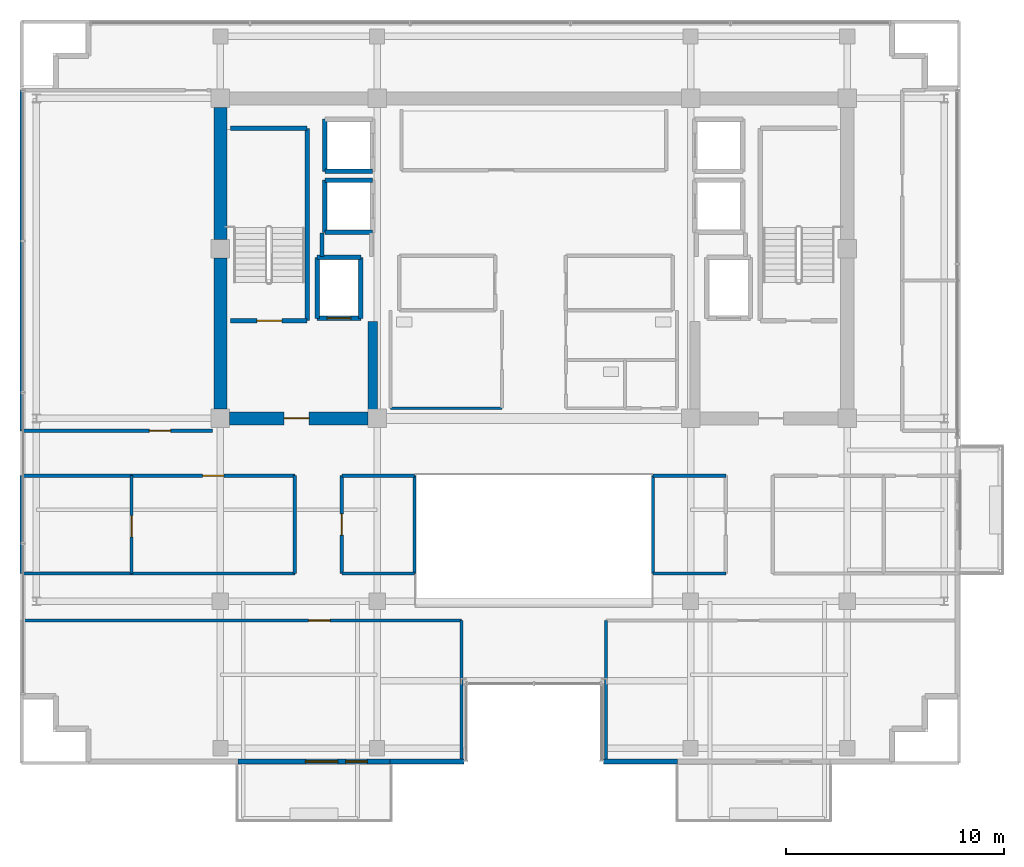
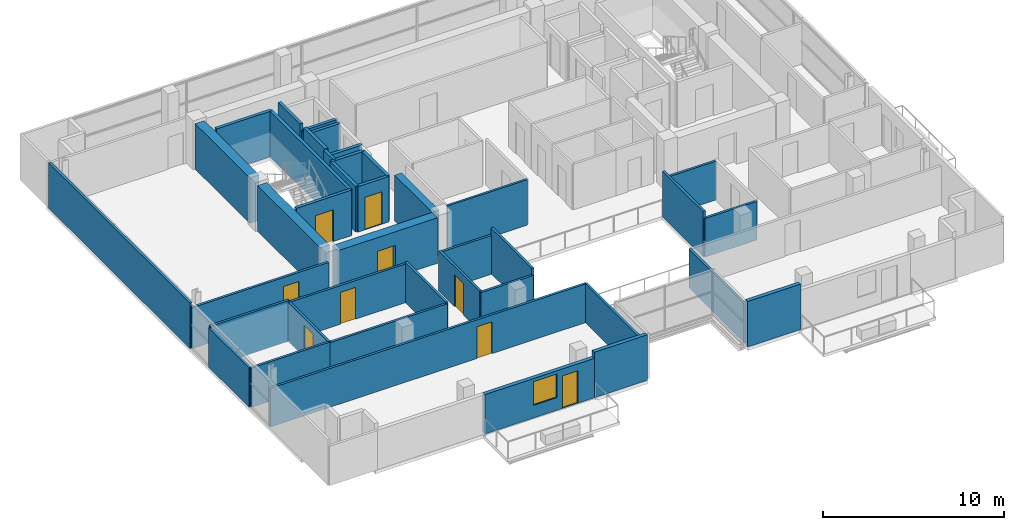
# One storey, part 16 of 23: 40 walls, 9 doors, 1 window, 10 openings.
"""IFC4 building model written with IfcOpenShell, lengths in metres."""

from ifc_helpers import new_model, si_unit, direction, frame, frame_2d, origin, place, context, subcontext, project, spatial, rectangle, extrude, source, transform, mapped, material, layer, layer_set, type_object, element, fill, save


model = new_model("IFC4")

# Units and contexts
model_context = context("Model", 3, precision=1e-05, world=origin(), true_north=direction((0.0, 1.0)))
body_context = subcontext(model_context, "Body", "Model", "MODEL_VIEW")
ifc_project = project(units=[si_unit("LENGTHUNIT", "METRE"), si_unit("AREAUNIT", "SQUARE_METRE"), si_unit("VOLUMEUNIT", "CUBIC_METRE"), si_unit("PLANEANGLEUNIT", "RADIAN"), si_unit("MASSUNIT", "GRAM", prefix="KILO")], contexts=[model_context])

# Site, building, storey
site_placement = place(None, origin())
site = spatial("IfcSite", under=ifc_project, at=site_placement, CompositionType="ELEMENT")
building_placement = place(site_placement, origin())
building = spatial("IfcBuilding", under=site, at=building_placement, Name="Zarnakvel Exchange Tower", CompositionType="ELEMENT")
storey_placement = place(building_placement, frame((0.0, 0.0, 212.199951171875)))
storey = spatial("IfcBuildingStorey", under=building, at=storey_placement, Name="L59", CompositionType="ELEMENT", Elevation=212.199951171875)

# Walls
ifc_material_1 = material(Name="Concrete C50/60", Category="concrete")
ifc_layer_1 = layer(ifc_material_1, 0.60009765625)
ifc_layer_set_1 = layer_set([ifc_layer_1], Name="Concrete C50/60")
wall_type_1 = type_object("IfcWallType", Name="CW-C5", PredefinedType="SHEAR", material=ifc_layer_set_1)
wall_1_placement = place(storey_placement, frame((-14.39990234375, -0.77490234375, 0.0), z_axis=(0.0, 0.0, 1.0), x_axis=(0.0, 1.0, 0.0)))
element("IfcWall", 1, at=wall_1_placement, inside=storey, type_object=wall_type_1, Name="L59 Rear Core Shear Wall W1 (CW-C5)", PredefinedType="SHEAR", context=body_context, shape_type="SweptSolid", body=[
    extrude(rectangle(XDim=6.949951171875, YDim=0.60009765625, at=frame_2d((3.47509765625, 0.0))), origin(), (0.0, 0.0, 1.0), 3.074951171875),
])
wall_2_placement = place(storey_placement, frame((-14.39990234375, 7.02490234375, 0.0), z_axis=(0.0, 0.0, 1.0), x_axis=(0.0, 1.0, 0.0)))
element("IfcWall", 2, at=wall_2_placement, inside=storey, type_object=wall_type_1, Name="L59 Rear Core Shear Wall W2 (CW-C5)", PredefinedType="SHEAR", context=body_context, shape_type="SweptSolid", body=[
    extrude(rectangle(XDim=6.050048828125, YDim=0.60009765625, at=frame_2d((3.02490234375, 0.0))), origin(), (0.0, 0.0, 1.0), 3.074951171875),
])

# Wall, opening, door
wall_3_placement = place(storey_placement, frame((-7.625, -1.199951171875, 0.0), z_axis=(0.0, 0.0, 1.0), x_axis=(-1.0, 0.0, 0.0)))
wall_3 = element("IfcWall", 3, at=wall_3_placement, inside=storey, type_object=wall_type_1, Name="L59 Rear Core Shear Wall SW (CW-C5)", PredefinedType="SHEAR", context=body_context, shape_type="SweptSolid", body=[
    extrude(rectangle(XDim=6.35009765625, YDim=0.60009765625, at=frame_2d((3.175048828125, 0.0))), origin(), (0.0, 0.0, 1.0), 3.074951171875),
])
opening_1_placement = place(wall_3_placement, frame((2.699951171875, 0.0, 0.0)))
opening_1 = element("IfcOpeningElement", 4, at=opening_1_placement, cuts=wall_3, Name="Opening D-L59-03", PredefinedType="OPENING", context=body_context, shape_type="SweptSolid", body=[
    extrude(rectangle(XDim=1.14990234375, YDim=2.14990234375, at=frame_2d((0.574951171875, 1.074951171875))), frame((0.0, 0.31005859375, 0.0), z_axis=(0.0, -1.0, 0.0), x_axis=(1.0, 0.0, 0.0)), (0.0, 0.0, 1.0), 0.6201171875),
])
ifc_material_2 = material(Name="Painted Galvanised Steel S355", Category="steel")
door_type_1 = type_object("IfcDoorType", Name="DT-04", OperationType="NOTDEFINED", PredefinedType="DOOR", material=ifc_material_2)
shared_shape_1 = source(origin(), body_context, "Body", "SweptSolid", [
    extrude(rectangle(XDim=1.14990234375, YDim=2.14990234375, at=frame_2d((0.574951171875, 1.074951171875))), frame((0.0, 0.02490234375, 0.0), z_axis=(0.0, -1.0, 0.0), x_axis=(1.0, 0.0, 0.0)), (0.0, 0.0, 1.0), 0.050048828125),
])
door_1_placement = place(opening_1_placement, origin())
door_1 = element("IfcDoor", 5, at=door_1_placement, inside=storey, type_object=door_type_1, Name="L59 Firefighting Lobby West Door D-L59-03", OperationType="SINGLE_SWING_RIGHT", OverallHeight=2.14990234375, OverallWidth=1.14990234375, PredefinedType="DOOR", context=body_context, shape_type="MappedRepresentation", body=[
    mapped(shared_shape_1, transform((0.0, 0.0, 0.0), x_axis=(1.0, 0.0, 0.0), y_axis=(0.0, 1.0, 0.0), z_axis=(0.0, 0.0, 1.0), scale=1.0)),
])
fill(opening_1, door_1)

# Wall
ifc_layer_2 = layer(ifc_material_1, 0.449951171875)
ifc_layer_set_2 = layer_set([ifc_layer_2], Name="Concrete C50/60")
wall_type_2 = type_object("IfcWallType", Name="CW-C6", PredefinedType="SHEAR", material=ifc_layer_set_2)
wall_4_placement = place(storey_placement, frame((-7.39990234375, -0.89990234375, 0.0), z_axis=(0.0, 0.0, 1.0), x_axis=(0.0, 1.0, 0.0)))
element("IfcWall", 6, at=wall_4_placement, inside=storey, type_object=wall_type_2, Name="L59 Rear Core Shear Wall IW (CW-C6)", PredefinedType="SHEAR", context=body_context, shape_type="SweptSolid", body=[
    extrude(rectangle(XDim=4.14990234375, YDim=0.449951171875, at=frame_2d((2.074951171875, 0.0))), origin(), (0.0, 0.0, 1.0), 3.074951171875),
])

# Wall, openings, door, window
ifc_material_3 = material(Name="Precast concrete C40/50", Category="concrete")
ifc_layer_3 = layer(ifc_material_3, 0.239990234375)
ifc_layer_set_3 = layer_set([ifc_layer_3], Name="Precast concrete C40/50")
wall_type_3 = type_object("IfcWallType", Name="EW-02", PredefinedType="SOLIDWALL", material=ifc_layer_set_3)
wall_5_placement = place(storey_placement, frame((-6.60009765625, -16.9599609375, 0.0), z_axis=(0.0, 0.0, 1.0), x_axis=(-1.0, 0.0, 0.0)))
wall_5 = element("IfcWall", 7, at=wall_5_placement, inside=storey, type_object=wall_type_3, Name="L59 Exterior Precast Spandrel Wall EW-BAL-L59-SW (EW-02)", PredefinedType="SOLIDWALL", context=body_context, shape_type="SweptSolid", body=[
    extrude(rectangle(XDim=7.0, YDim=0.239990234375, at=frame_2d((3.5, 0.0))), origin(), (0.0, 0.0, 1.0), 2.6650390625),
])
opening_2_placement = place(wall_5_placement, frame((1.050048828125, 0.0, 0.0)))
opening_2 = element("IfcOpeningElement", 8, at=opening_2_placement, cuts=wall_5, Name="Opening BD-L59-01", PredefinedType="OPENING", context=body_context, shape_type="SweptSolid", body=[
    extrude(rectangle(XDim=1.0, YDim=2.199951171875, at=frame_2d((0.5, 1.10009765625))), frame((0.0, 0.1298828125, 0.0), z_axis=(0.0, -1.0, 0.0), x_axis=(1.0, 0.0, 0.0)), (0.0, 0.0, 1.0), 0.260009765625),
])
opening_3_placement = place(wall_5_placement, frame((2.39990234375, 0.0, 0.85009765625)))
opening_3 = element("IfcOpeningElement", 9, at=opening_3_placement, cuts=wall_5, Name="Opening WN-03", PredefinedType="OPENING", context=body_context, shape_type="SweptSolid", body=[
    extrude(rectangle(XDim=1.5, YDim=1.60009765625, at=frame_2d((0.75, 0.800048828125))), frame((0.0, 0.1298828125, 0.0), z_axis=(0.0, -1.0, 0.0), x_axis=(1.0, 0.0, 0.0)), (0.0, 0.0, 1.0), 0.260009765625),
])
ifc_material_4 = material(Name="Architectural Bronze Anodised Aluminium", Category="aluminium")
door_type_2 = type_object("IfcDoorType", Name="DT-09", OperationType="NOTDEFINED", PredefinedType="DOOR", material=ifc_material_4)
shared_shape_2 = source(origin(), body_context, "Body", "SweptSolid", [
    extrude(rectangle(XDim=1.0, YDim=2.199951171875, at=frame_2d((0.5, 1.10009765625))), frame((0.0, 0.02490234375, 0.0), z_axis=(0.0, -1.0, 0.0), x_axis=(1.0, 0.0, 0.0)), (0.0, 0.0, 1.0), 0.050048828125),
])
door_2_placement = place(opening_2_placement, origin())
door_2 = element("IfcDoor", 10, at=door_2_placement, inside=storey, type_object=door_type_2, Name="L59 Planted Loggia Balcony Door BD-L59-01", OperationType="SINGLE_SWING_LEFT", OverallHeight=2.199951171875, OverallWidth=1.0, PredefinedType="DOOR", context=body_context, shape_type="MappedRepresentation", body=[
    mapped(shared_shape_2, transform((0.0, 0.0, 0.0), x_axis=(1.0, 0.0, 0.0), y_axis=(0.0, 1.0, 0.0), z_axis=(0.0, 0.0, 1.0), scale=1.0)),
])
fill(opening_2, door_2)
ifc_material_5 = material(Name="Double Low-E Laminated Vision Glass", Category="glass")
window_type = type_object("IfcWindowType", Name="WN-03", PartitioningType="SINGLE_PANEL", PredefinedType="WINDOW", material=ifc_material_5)
shared_shape_3 = source(origin(), body_context, "Body", "SweptSolid", [
    extrude(rectangle(XDim=1.5, YDim=1.60009765625, at=frame_2d((0.75, 0.800048828125))), frame((0.0, 0.030029296875, 0.0), z_axis=(0.0, -1.0, 0.0), x_axis=(1.0, 0.0, 0.0)), (0.0, 0.0, 1.0), 0.06005859375),
])
window_placement = place(opening_3_placement, origin())
window = element("IfcWindow", 11, at=window_placement, inside=storey, type_object=window_type, Name="L59 Loggia Daylight Window (WN-03)", OverallHeight=1.60009765625, OverallWidth=1.5, PartitioningType="SINGLE_PANEL", PredefinedType="WINDOW", context=body_context, shape_type="MappedRepresentation", body=[
    mapped(shared_shape_3, transform((0.0, 0.0, 0.0), x_axis=(1.0, 0.0, 0.0), y_axis=(0.0, 1.0, 0.0), z_axis=(0.0, 0.0, 1.0), scale=1.0)),
])
fill(opening_3, window)

# Walls
for number, where, z_axis, x_axis, name in (
    (12, (3.199951171875, -16.9599609375, 0.0), (0.0, 0.0, 1.0), (1.0, 0.0, 0.0), "L59 Exterior Precast Spandrel Wall EWC-L59-16 (EW-02)"),
    (13, (-6.60009765625, -16.9599609375, 0.0), (0.0, 0.0, 1.0), (1.0, 0.0, 0.0), "L59 Exterior Precast Spandrel Wall EWC-L59-21 (EW-02)"),
):
    element("IfcWall", number, at=place(storey_placement, frame(where, z_axis=z_axis, x_axis=x_axis)), inside=storey, type_object=wall_type_3, Name=name, PredefinedType="SOLIDWALL", context=body_context, shape_type="SweptSolid", body=[
        extrude(rectangle(XDim=3.400146484375, YDim=0.239990234375, at=frame_2d((1.7001953125, 0.0))), origin(), (0.0, 0.0, 1.0), 3.074951171875),
    ])
ifc_material_6 = material(Name="Fire-Rated Gypsum Stud Partition", Category="gypsum")
ifc_layer_4 = layer(ifc_material_6, 0.14990234375)
ifc_layer_set_4 = layer_set([ifc_layer_4], Name="Fire-Rated Gypsum Stud Partition")
wall_type_4 = type_object("IfcWallType", Name="PT-01", PredefinedType="PARTITIONING", material=ifc_layer_set_4)
wall_6_placement = place(storey_placement, frame((-18.47802734375, -8.320068359375, 0.0), z_axis=(0.0, 0.0, 1.0), x_axis=(-1.0, 0.0, 0.0)))
element("IfcWall", 14, at=wall_6_placement, inside=storey, type_object=wall_type_4, Name="L59 Partition Wall PWALL-L59-033 (PT-01)", PredefinedType="PARTITIONING", context=body_context, shape_type="SweptSolid", body=[
    extrude(rectangle(XDim=5.052001953125, YDim=0.14990234375, at=frame_2d((2.52587890625, 0.0))), origin(), (0.0, 0.0, 1.0), 2.6650390625),
])
wall_7_placement = place(storey_placement, frame((-23.530029296875, -3.830078125, 0.0), z_axis=(0.0, 0.0, 1.0), x_axis=(1.0, 0.0, 0.0)))
element("IfcWall", 15, at=wall_7_placement, inside=storey, type_object=wall_type_4, Name="L59 Partition Wall PWALL-L59-034 (PT-01)", PredefinedType="PARTITIONING", context=body_context, shape_type="SweptSolid", body=[
    extrude(rectangle(XDim=5.052001953125, YDim=0.14990234375, at=frame_2d((2.52587890625, 0.0))), origin(), (0.0, 0.0, 1.0), 2.76513671875),
])
wall_8_placement = place(storey_placement, frame((-23.530029296875, -8.320068359375, 0.0), z_axis=(0.0, 0.0, 1.0), x_axis=(0.0, 1.0, 0.0)))
element("IfcWall", 16, at=wall_8_placement, inside=storey, type_object=wall_type_4, Name="L59 Partition Wall PWALL-L59-035 (PT-01)", PredefinedType="PARTITIONING", context=body_context, shape_type="SweptSolid", body=[
    extrude(rectangle(XDim=4.489990234375, YDim=0.14990234375, at=frame_2d((2.2451171875, 0.0))), origin(), (0.0, 0.0, 1.0), 2.6650390625),
])

# Wall, opening, door
wall_9_placement = place(storey_placement, frame((-18.47802734375, -3.830078125, 0.0), z_axis=(0.0, 0.0, 1.0), x_axis=(0.0, -1.0, 0.0)))
wall_9 = element("IfcWall", 17, at=wall_9_placement, inside=storey, type_object=wall_type_4, Name="L59 Partition Wall PWALL-L59-036 (PT-01)", PredefinedType="PARTITIONING", context=body_context, shape_type="SweptSolid", body=[
    extrude(rectangle(XDim=4.489990234375, YDim=0.14990234375, at=frame_2d((2.2451171875, 0.0))), origin(), (0.0, 0.0, 1.0), 2.6650390625),
])
opening_4_placement = place(wall_9_placement, frame((1.8349609375, 0.0, 0.0)))
opening_4 = element("IfcOpeningElement", 18, at=opening_4_placement, cuts=wall_9, Name="Opening D-L59-12", PredefinedType="OPENING", context=body_context, shape_type="SweptSolid", body=[
    extrude(rectangle(XDim=0.97998046875, YDim=2.14990234375, at=frame_2d((0.489990234375, 1.074951171875))), frame((0.0, 0.0849609375, 0.0), z_axis=(0.0, -1.0, 0.0), x_axis=(1.0, 0.0, 0.0)), (0.0, 0.0, 1.0), 0.169921875),
])
ifc_material_7 = material(Name="Timber Acoustic Veneer", Category="wood")
door_type_3 = type_object("IfcDoorType", Name="DT-05", OperationType="NOTDEFINED", PredefinedType="DOOR", material=ifc_material_7)
shared_shape_4 = source(origin(), body_context, "Body", "SweptSolid", [
    extrude(rectangle(XDim=0.97998046875, YDim=2.14990234375, at=frame_2d((0.489990234375, 1.074951171875))), frame((0.0, 0.02490234375, 0.0), z_axis=(0.0, -1.0, 0.0), x_axis=(1.0, 0.0, 0.0)), (0.0, 0.0, 1.0), 0.050048828125),
])
door_3_placement = place(opening_4_placement, origin())
door_3 = element("IfcDoor", 19, at=door_3_placement, inside=storey, type_object=door_type_3, Name="L59 Institutional Dealing Room Door D-L59-12", OperationType="SINGLE_SWING_LEFT", OverallHeight=2.14990234375, OverallWidth=0.97998046875, PredefinedType="DOOR", context=body_context, shape_type="MappedRepresentation", body=[
    mapped(shared_shape_4, transform((0.0, 0.0, 0.0), x_axis=(1.0, 0.0, 0.0), y_axis=(0.0, 1.0, 0.0), z_axis=(0.0, 0.0, 1.0), scale=1.0)),
])
fill(opening_4, door_3)

# Wall
wall_10_placement = place(storey_placement, frame((-10.97998046875, -8.320068359375, 0.0), z_axis=(0.0, 0.0, 1.0), x_axis=(-1.0, 0.0, 0.0)))
element("IfcWall", 20, at=wall_10_placement, inside=storey, type_object=wall_type_4, Name="L59 Partition Wall PWALL-L59-037 (PT-01)", PredefinedType="PARTITIONING", context=body_context, shape_type="SweptSolid", body=[
    extrude(rectangle(XDim=7.498046875, YDim=0.14990234375, at=frame_2d((3.7490234375, 0.0))), origin(), (0.0, 0.0, 1.0), 2.614990234375),
])

# Wall, opening, door
wall_11_placement = place(storey_placement, frame((-18.47802734375, -3.830078125, 0.0), z_axis=(0.0, 0.0, 1.0), x_axis=(1.0, 0.0, 0.0)))
wall_11 = element("IfcWall", 21, at=wall_11_placement, inside=storey, type_object=wall_type_4, Name="L59 Partition Wall PWALL-L59-038 (PT-01)", PredefinedType="PARTITIONING", context=body_context, shape_type="SweptSolid", body=[
    extrude(rectangle(XDim=7.498046875, YDim=0.14990234375, at=frame_2d((3.7490234375, 0.0))), origin(), (0.0, 0.0, 1.0), 2.614990234375),
])
opening_5_placement = place(wall_11_placement, frame((3.259033203125, 0.0, 0.0)))
opening_5 = element("IfcOpeningElement", 22, at=opening_5_placement, cuts=wall_11, Name="Opening D-L59-13", PredefinedType="OPENING", context=body_context, shape_type="SweptSolid", body=[
    extrude(rectangle(XDim=0.97998046875, YDim=2.14990234375, at=frame_2d((0.489990234375, 1.074951171875))), frame((0.0, 0.0849609375, 0.0), z_axis=(0.0, -1.0, 0.0), x_axis=(1.0, 0.0, 0.0)), (0.0, 0.0, 1.0), 0.169921875),
])
door_4_placement = place(opening_5_placement, origin())
door_4 = element("IfcDoor", 23, at=door_4_placement, inside=storey, type_object=door_type_3, Name="L59 Clearing Office Door D-L59-13", OperationType="SINGLE_SWING_RIGHT", OverallHeight=2.14990234375, OverallWidth=0.97998046875, PredefinedType="DOOR", context=body_context, shape_type="MappedRepresentation", body=[
    mapped(shared_shape_4, transform((0.0, 0.0, 0.0), x_axis=(1.0, 0.0, 0.0), y_axis=(0.0, 1.0, 0.0), z_axis=(0.0, 0.0, 1.0), scale=1.0)),
])
fill(opening_5, door_4)

# Wall
wall_12_placement = place(storey_placement, frame((-10.97998046875, -3.830078125, 0.0), z_axis=(0.0, 0.0, 1.0), x_axis=(0.0, -1.0, 0.0)))
element("IfcWall", 24, at=wall_12_placement, inside=storey, type_object=wall_type_4, Name="L59 Partition Wall PWALL-L59-039 (PT-01)", PredefinedType="PARTITIONING", context=body_context, shape_type="SweptSolid", body=[
    extrude(rectangle(XDim=4.489990234375, YDim=0.14990234375, at=frame_2d((2.2451171875, 0.0))), origin(), (0.0, 0.0, 1.0), 2.705078125),
])

# Wall, opening, door
wall_13_placement = place(storey_placement, frame((-23.530029296875, -10.47998046875, 0.0), z_axis=(0.0, 0.0, 1.0), x_axis=(1.0, 0.0, 0.0)))
wall_13 = element("IfcWall", 25, at=wall_13_placement, inside=storey, type_object=wall_type_4, Name="L59 Partition Wall PWALL-L59-041 (PT-01)", PredefinedType="PARTITIONING", context=body_context, shape_type="SweptSolid", body=[
    extrude(rectangle(XDim=20.2099609375, YDim=0.14990234375, at=frame_2d((10.10498046875, 0.0))), origin(), (0.0, 0.0, 1.0), 2.614990234375),
])
opening_6_placement = place(wall_13_placement, frame((13.18994140625, 0.0, 0.0)))
opening_6 = element("IfcOpeningElement", 26, at=opening_6_placement, cuts=wall_13, Name="Opening D-L59-14", PredefinedType="OPENING", context=body_context, shape_type="SweptSolid", body=[
    extrude(rectangle(XDim=0.97998046875, YDim=2.14990234375, at=frame_2d((0.489990234375, 1.074951171875))), frame((0.0, 0.0849609375, 0.0), z_axis=(0.0, -1.0, 0.0), x_axis=(1.0, 0.0, 0.0)), (0.0, 0.0, 1.0), 0.169921875),
])
door_5_placement = place(opening_6_placement, origin())
door_5 = element("IfcDoor", 27, at=door_5_placement, inside=storey, type_object=door_type_3, Name="L59 Institutional Dealing Room Door D-L59-14", OperationType="SINGLE_SWING_LEFT", OverallHeight=2.14990234375, OverallWidth=0.97998046875, PredefinedType="DOOR", context=body_context, shape_type="MappedRepresentation", body=[
    mapped(shared_shape_4, transform((0.0, 0.0, 0.0), x_axis=(1.0, 0.0, 0.0), y_axis=(0.0, 1.0, 0.0), z_axis=(0.0, 0.0, 1.0), scale=1.0)),
])
fill(opening_6, door_5)

# Walls
for number, where, z_axis, x_axis, name in (
    (28, (-3.320068359375, -10.47998046875, 0.0), (0.0, 0.0, 1.0), (0.0, -1.0, 0.0), "L59 Partition Wall PWALL-L59-043 (PT-01)"),
    (29, (3.320068359375, -17.030029296875, 0.0), (0.0, 0.0, 1.0), (0.0, 1.0, 0.0), "L59 Partition Wall PWALL-L59-053 (PT-01)"),
):
    element("IfcWall", number, at=place(storey_placement, frame(where, z_axis=z_axis, x_axis=x_axis)), inside=storey, type_object=wall_type_4, Name=name, PredefinedType="PARTITIONING", context=body_context, shape_type="SweptSolid", body=[
        extrude(rectangle(XDim=6.550048828125, YDim=0.14990234375, at=frame_2d((3.27490234375, 0.0))), origin(), (0.0, 0.0, 1.0), 2.614990234375),
    ])
for number, where, z_axis, x_axis, name in (
    (30, (-5.47998046875, -8.320068359375, 0.0), (0.0, 0.0, 1.0), (-1.0, 0.0, 0.0), "L59 Partition Wall PWALL-L59-055 (PT-01)"),
    (31, (-8.820068359375, -3.830078125, 0.0), (0.0, 0.0, 1.0), (1.0, 0.0, 0.0), "L59 Partition Wall PWALL-L59-056 (PT-01)"),
):
    element("IfcWall", number, at=place(storey_placement, frame(where, z_axis=z_axis, x_axis=x_axis)), inside=storey, type_object=wall_type_4, Name=name, PredefinedType="PARTITIONING", context=body_context, shape_type="SweptSolid", body=[
        extrude(rectangle(XDim=3.340087890625, YDim=0.14990234375, at=frame_2d((1.669921875, 0.0))), origin(), (0.0, 0.0, 1.0), 2.614990234375),
    ])

# Wall, opening, door
wall_14_placement = place(storey_placement, frame((-8.820068359375, -8.320068359375, 0.0), z_axis=(0.0, 0.0, 1.0), x_axis=(0.0, 1.0, 0.0)))
wall_14 = element("IfcWall", 32, at=wall_14_placement, inside=storey, type_object=wall_type_4, Name="L59 Partition Wall PWALL-L59-057 (PT-01)", PredefinedType="PARTITIONING", context=body_context, shape_type="SweptSolid", body=[
    extrude(rectangle(XDim=4.489990234375, YDim=0.14990234375, at=frame_2d((2.2451171875, 0.0))), origin(), (0.0, 0.0, 1.0), 2.705078125),
])
opening_7_placement = place(wall_14_placement, frame((1.7548828125, 0.0, 0.0)))
opening_7 = element("IfcOpeningElement", 33, at=opening_7_placement, cuts=wall_14, Name="Opening D-L59-18", PredefinedType="OPENING", context=body_context, shape_type="SweptSolid", body=[
    extrude(rectangle(XDim=0.97998046875, YDim=2.14990234375, at=frame_2d((0.489990234375, 1.074951171875))), frame((0.0, 0.0849609375, 0.0), z_axis=(0.0, -1.0, 0.0), x_axis=(1.0, 0.0, 0.0)), (0.0, 0.0, 1.0), 0.169921875),
])
door_6_placement = place(opening_7_placement, origin())
door_6 = element("IfcDoor", 34, at=door_6_placement, inside=storey, type_object=door_type_3, Name="L59 Breakout Pantry Door D-L59-18", OperationType="SINGLE_SWING_LEFT", OverallHeight=2.14990234375, OverallWidth=0.97998046875, PredefinedType="DOOR", context=body_context, shape_type="MappedRepresentation", body=[
    mapped(shared_shape_4, transform((0.0, 0.0, 0.0), x_axis=(1.0, 0.0, 0.0), y_axis=(0.0, 1.0, 0.0), z_axis=(0.0, 0.0, 1.0), scale=1.0)),
])
fill(opening_7, door_6)

# Walls
wall_15_placement = place(storey_placement, frame((-5.47998046875, -3.830078125, 0.0), z_axis=(0.0, 0.0, 1.0), x_axis=(0.0, -1.0, 0.0)))
element("IfcWall", 35, at=wall_15_placement, inside=storey, type_object=wall_type_4, Name="L59 Partition Wall PWALL-L59-058 (PT-01)", PredefinedType="PARTITIONING", context=body_context, shape_type="SweptSolid", body=[
    extrude(rectangle(XDim=4.489990234375, YDim=0.14990234375, at=frame_2d((2.2451171875, 0.0))), origin(), (0.0, 0.0, 1.0), 3.074951171875),
])
for number, where, z_axis, x_axis, name in (
    (36, (8.820068359375, -8.320068359375, 0.0), (0.0, 0.0, 1.0), (-1.0, 0.0, 0.0), "L59 Partition Wall PWALL-L59-059 (PT-01)"),
    (37, (5.47998046875, -3.830078125, 0.0), (0.0, 0.0, 1.0), (1.0, 0.0, 0.0), "L59 Partition Wall PWALL-L59-060 (PT-01)"),
):
    element("IfcWall", number, at=place(storey_placement, frame(where, z_axis=z_axis, x_axis=x_axis)), inside=storey, type_object=wall_type_4, Name=name, PredefinedType="PARTITIONING", context=body_context, shape_type="SweptSolid", body=[
        extrude(rectangle(XDim=3.340087890625, YDim=0.14990234375, at=frame_2d((1.669921875, 0.0))), origin(), (0.0, 0.0, 1.0), 2.614990234375),
    ])
wall_16_placement = place(storey_placement, frame((5.47998046875, -8.320068359375, 0.0), z_axis=(0.0, 0.0, 1.0), x_axis=(0.0, 1.0, 0.0)))
element("IfcWall", 38, at=wall_16_placement, inside=storey, type_object=wall_type_4, Name="L59 Partition Wall PWALL-L59-061 (PT-01)", PredefinedType="PARTITIONING", context=body_context, shape_type="SweptSolid", body=[
    extrude(rectangle(XDim=4.489990234375, YDim=0.14990234375, at=frame_2d((2.2451171875, 0.0))), origin(), (0.0, 0.0, 1.0), 3.074951171875),
])

# Wall, opening, door
wall_17_placement = place(storey_placement, frame((-14.77001953125, -1.77001953125, 0.0), z_axis=(0.0, 0.0, 1.0), x_axis=(-1.0, 0.0, 0.0)))
wall_17 = element("IfcWall", 39, at=wall_17_placement, inside=storey, type_object=wall_type_4, Name="L59 Partition Wall PWALL-L59-063 (PT-01)", PredefinedType="PARTITIONING", context=body_context, shape_type="SweptSolid", body=[
    extrude(rectangle(XDim=8.760009765625, YDim=0.14990234375, at=frame_2d((4.3798828125, 0.0))), origin(), (0.0, 0.0, 1.0), 2.76513671875),
])
opening_8_placement = place(wall_17_placement, frame((1.9150390625, 0.0, 0.0)))
opening_8 = element("IfcOpeningElement", 40, at=opening_8_placement, cuts=wall_17, Name="Opening D-L59-20", PredefinedType="OPENING", context=body_context, shape_type="SweptSolid", body=[
    extrude(rectangle(XDim=0.97998046875, YDim=2.14990234375, at=frame_2d((0.489990234375, 1.074951171875))), frame((0.0, 0.0849609375, 0.0), z_axis=(0.0, -1.0, 0.0), x_axis=(1.0, 0.0, 0.0)), (0.0, 0.0, 1.0), 0.169921875),
])
door_7_placement = place(opening_8_placement, origin())
door_7 = element("IfcDoor", 41, at=door_7_placement, inside=storey, type_object=door_type_3, Name="L59 Meeting Room Door D-L59-20", OperationType="SINGLE_SWING_LEFT", OverallHeight=2.14990234375, OverallWidth=0.97998046875, PredefinedType="DOOR", context=body_context, shape_type="MappedRepresentation", body=[
    mapped(shared_shape_4, transform((0.0, 0.0, 0.0), x_axis=(1.0, 0.0, 0.0), y_axis=(0.0, 1.0, 0.0), z_axis=(0.0, 0.0, 1.0), scale=1.0)),
])
fill(opening_8, door_7)

# Walls
wall_18_placement = place(storey_placement, frame((-23.530029296875, -1.77001953125, 0.0), z_axis=(0.0, 0.0, 1.0), x_axis=(0.0, 1.0, 0.0)))
element("IfcWall", 42, at=wall_18_placement, inside=storey, type_object=wall_type_4, Name="L59 Partition Wall PWALL-L59-065 (PT-01)", PredefinedType="PARTITIONING", context=body_context, shape_type="SweptSolid", body=[
    extrude(rectangle(XDim=15.64990234375, YDim=0.14990234375, at=frame_2d((7.824951171875, 0.0))), origin(), (0.0, 0.0, 1.0), 3.074951171875),
])
ifc_layer_5 = layer(ifc_material_6, 0.179931640625)
ifc_layer_set_5 = layer_set([ifc_layer_5], Name="Fire-Rated Gypsum Stud Partition")
wall_type_5 = type_object("IfcWallType", Name="PT-02", PredefinedType="PARTITIONING", material=ifc_layer_set_5)
wall_19_placement = place(storey_placement, frame((-9.72998046875, 6.239990234375, 0.0), z_axis=(0.0, 0.0, 1.0), x_axis=(0.0, 1.0, 0.0)))
element("IfcWall", 43, at=wall_19_placement, inside=storey, type_object=wall_type_5, Name="L59 Partition Wall PWALL-L59-007 (PT-02)", PredefinedType="PARTITIONING", context=body_context, shape_type="SweptSolid", body=[
    extrude(rectangle(XDim=1.090087890625, YDim=0.179931640625, at=frame_2d((0.544921875, 0.0))), origin(), (0.0, 0.0, 1.0), 3.074951171875),
])
ifc_material_8 = material(Name="Moisture-Resistant Tile-Faced Partition", Category="gypsum")
ifc_layer_6 = layer(ifc_material_8, 0.135009765625)
ifc_layer_set_6 = layer_set([ifc_layer_6], Name="Moisture-Resistant Tile-Faced Partition")
wall_type_6 = type_object("IfcWallType", Name="PT-03", PredefinedType="PARTITIONING", material=ifc_layer_set_6)
wall_20_placement = place(storey_placement, frame((-1.469970703125, -0.72998046875, 0.0), z_axis=(0.0, 0.0, 1.0), x_axis=(-1.0, 0.0, 0.0)))
element("IfcWall", 44, at=wall_20_placement, inside=storey, type_object=wall_type_6, Name="L59 Partition Wall PWALL-L59-022 (PT-03)", PredefinedType="PARTITIONING", context=body_context, shape_type="SweptSolid", body=[
    extrude(rectangle(XDim=5.110107421875, YDim=0.135009765625, at=frame_2d((2.55517578125, 0.0))), origin(), (0.0, 0.0, 1.0), 3.074951171875),
])

# Wall, opening, door
ifc_material_9 = material(Name="Concrete C40/50", Category="concrete")
ifc_layer_7 = layer(ifc_material_9, 0.199951171875)
ifc_layer_set_7 = layer_set([ifc_layer_7], Name="Concrete C40/50")
wall_type_7 = type_object("IfcWallType", Name="SW-01", PredefinedType="SOLIDWALL", material=ifc_layer_set_7)
wall_21_placement = place(storey_placement, frame((-7.949951171875, 3.39990234375, 0.0), z_axis=(0.0, 0.0, 1.0), x_axis=(-1.0, 0.0, 0.0)))
wall_21 = element("IfcWall", 45, at=wall_21_placement, inside=storey, type_object=wall_type_7, Name="L59 FL-01 Hoistway Wall South", PredefinedType="SOLIDWALL", context=body_context, shape_type="SweptSolid", body=[
    extrude(rectangle(XDim=2.0, YDim=0.199951171875, at=frame_2d((1.0, 0.0))), origin(), (0.0, 0.0, 1.0), 3.074951171875),
])
opening_9_placement = place(wall_21_placement, frame((0.449951171875, 0.0, 0.0)))
opening_9 = element("IfcOpeningElement", 46, at=opening_9_placement, cuts=wall_21, Name="Opening LD-FL-01-L59", PredefinedType="OPENING", context=body_context, shape_type="SweptSolid", body=[
    extrude(rectangle(XDim=1.10009765625, YDim=2.199951171875, at=frame_2d((0.550048828125, 1.10009765625))), frame((0.0, 0.10986328125, 0.0), z_axis=(0.0, -1.0, 0.0), x_axis=(1.0, 0.0, 0.0)), (0.0, 0.0, 1.0), 0.219970703125),
])
ifc_material_10 = material(Name="Brushed Stainless Steel", Category="steel")
door_type_4 = type_object("IfcDoorType", Name="LDT-01", OperationType="NOTDEFINED", PredefinedType="DOOR", material=ifc_material_10)
shared_shape_5 = source(origin(), body_context, "Body", "SweptSolid", [
    extrude(rectangle(XDim=1.10009765625, YDim=2.199951171875, at=frame_2d((0.550048828125, 1.10009765625))), frame((0.0, 0.02490234375, 0.0), z_axis=(0.0, -1.0, 0.0), x_axis=(1.0, 0.0, 0.0)), (0.0, 0.0, 1.0), 0.050048828125),
])
door_8_placement = place(opening_9_placement, origin())
door_8 = element("IfcDoor", 47, at=door_8_placement, inside=storey, type_object=door_type_4, Name="L59 FL-01 Lift Landing Door LD-FL-01-L59", OperationType="DOUBLE_DOOR_SLIDING", OverallHeight=2.199951171875, OverallWidth=1.10009765625, PredefinedType="DOOR", context=body_context, shape_type="MappedRepresentation", body=[
    mapped(shared_shape_5, transform((0.0, 0.0, 0.0), x_axis=(1.0, 0.0, 0.0), y_axis=(0.0, 1.0, 0.0), z_axis=(0.0, 0.0, 1.0), scale=1.0)),
])
fill(opening_9, door_8)

# Walls
wall_22_placement = place(storey_placement, frame((-9.949951171875, 6.199951171875, 0.0), z_axis=(0.0, 0.0, 1.0), x_axis=(1.0, 0.0, 0.0)))
element("IfcWall", 48, at=wall_22_placement, inside=storey, type_object=wall_type_7, Name="L59 FL-01 Hoistway Wall North", PredefinedType="SOLIDWALL", context=body_context, shape_type="SweptSolid", body=[
    extrude(rectangle(XDim=2.0, YDim=0.199951171875, at=frame_2d((1.0, 0.0))), origin(), (0.0, 0.0, 1.0), 3.074951171875),
])
for number, where, z_axis, x_axis, name in (
    (49, (-9.949951171875, 3.39990234375, 0.0), (0.0, 0.0, 1.0), (0.0, 1.0, 0.0), "L59 FL-01 Hoistway Wall West"),
    (50, (-7.949951171875, 6.199951171875, 0.0), (0.0, 0.0, 1.0), (0.0, -1.0, 0.0), "L59 FL-01 Hoistway Wall East"),
):
    element("IfcWall", number, at=place(storey_placement, frame(where, z_axis=z_axis, x_axis=x_axis)), inside=storey, type_object=wall_type_7, Name=name, PredefinedType="SOLIDWALL", context=body_context, shape_type="SweptSolid", body=[
        extrude(rectangle(XDim=2.800048828125, YDim=0.199951171875, at=frame_2d((1.39990234375, 0.0))), origin(), (0.0, 0.0, 1.0), 3.074951171875),
    ])
for number, where, z_axis, x_axis, name in (
    (51, (-7.39990234375, 7.35009765625, 0.0), (0.0, 0.0, 1.0), (-1.0, 0.0, 0.0), "L59 PL-09 Hoistway Wall South"),
    (52, (-9.60009765625, 9.75, 0.0), (0.0, 0.0, 1.0), (1.0, 0.0, 0.0), "L59 PL-09 Hoistway Wall North"),
):
    element("IfcWall", number, at=place(storey_placement, frame(where, z_axis=z_axis, x_axis=x_axis)), inside=storey, type_object=wall_type_7, Name=name, PredefinedType="SOLIDWALL", context=body_context, shape_type="SweptSolid", body=[
        extrude(rectangle(XDim=2.2001953125, YDim=0.199951171875, at=frame_2d((1.10009765625, 0.0))), origin(), (0.0, 0.0, 1.0), 2.614990234375),
    ])
wall_23_placement = place(storey_placement, frame((-9.60009765625, 7.35009765625, 0.0), z_axis=(0.0, 0.0, 1.0), x_axis=(0.0, 1.0, 0.0)))
element("IfcWall", 53, at=wall_23_placement, inside=storey, type_object=wall_type_7, Name="L59 PL-09 Hoistway Wall West", PredefinedType="SOLIDWALL", context=body_context, shape_type="SweptSolid", body=[
    extrude(rectangle(XDim=2.39990234375, YDim=0.199951171875, at=frame_2d((1.199951171875, 0.0))), origin(), (0.0, 0.0, 1.0), 3.074951171875),
])
wall_24_placement = place(storey_placement, frame((-7.39990234375, 10.14990234375, 0.0), z_axis=(0.0, 0.0, 1.0), x_axis=(-1.0, 0.0, 0.0)))
element("IfcWall", 54, at=wall_24_placement, inside=storey, type_object=wall_type_7, Name="L59 PL-10 Hoistway Wall South", PredefinedType="SOLIDWALL", context=body_context, shape_type="SweptSolid", body=[
    extrude(rectangle(XDim=2.2001953125, YDim=0.199951171875, at=frame_2d((1.10009765625, 0.0))), origin(), (0.0, 0.0, 1.0), 2.614990234375),
])
wall_25_placement = place(storey_placement, frame((-9.60009765625, 10.14990234375, 0.0), z_axis=(0.0, 0.0, 1.0), x_axis=(0.0, 1.0, 0.0)))
element("IfcWall", 55, at=wall_25_placement, inside=storey, type_object=wall_type_7, Name="L59 PL-10 Hoistway Wall West", PredefinedType="SOLIDWALL", context=body_context, shape_type="SweptSolid", body=[
    extrude(rectangle(XDim=2.400146484375, YDim=0.199951171875, at=frame_2d((1.2001953125, 0.0))), origin(), (0.0, 0.0, 1.0), 3.074951171875),
])

# Wall, opening, door
ifc_layer_8 = layer(ifc_material_9, 0.199951171875)
ifc_layer_set_8 = layer_set([ifc_layer_8], Name="Concrete C40/50")
wall_type_8 = type_object("IfcWallType", Name="SW-02", PredefinedType="SOLIDWALL", material=ifc_layer_set_8)
wall_26_placement = place(storey_placement, frame((-10.409912109375, 3.2900390625, 0.0), z_axis=(0.0, 0.0, 1.0), x_axis=(-1.0, 0.0, 0.0)))
wall_26 = element("IfcWall", 56, at=wall_26_placement, inside=storey, type_object=wall_type_8, Name="L59 Stairwell Core Wall PWALL-L59-001 (SW-02)", PredefinedType="SOLIDWALL", context=body_context, shape_type="SweptSolid", body=[
    extrude(rectangle(XDim=3.52001953125, YDim=0.199951171875, at=frame_2d((1.760009765625, 0.0))), origin(), (0.0, 0.0, 1.0), 3.074951171875),
])
opening_10_placement = place(wall_26_placement, frame((1.1650390625, 0.0, 0.0)))
opening_10 = element("IfcOpeningElement", 57, at=opening_10_placement, cuts=wall_26, Name="Opening D-L59-01", PredefinedType="OPENING", context=body_context, shape_type="SweptSolid", body=[
    extrude(rectangle(XDim=1.14990234375, YDim=2.14990234375, at=frame_2d((0.574951171875, 1.074951171875))), frame((0.0, 0.10986328125, 0.0), z_axis=(0.0, -1.0, 0.0), x_axis=(1.0, 0.0, 0.0)), (0.0, 0.0, 1.0), 0.219970703125),
])
door_9_placement = place(opening_10_placement, origin())
door_9 = element("IfcDoor", 58, at=door_9_placement, inside=storey, type_object=door_type_1, Name="L59 Stairwell ST-01 Door D-L59-01", OperationType="SINGLE_SWING_RIGHT", OverallHeight=2.14990234375, OverallWidth=1.14990234375, PredefinedType="DOOR", context=body_context, shape_type="MappedRepresentation", body=[
    mapped(shared_shape_1, transform((0.0, 0.0, 0.0), x_axis=(1.0, 0.0, 0.0), y_axis=(0.0, 1.0, 0.0), z_axis=(0.0, 0.0, 1.0), scale=1.0)),
])
fill(opening_10, door_9)

# Walls
wall_27_placement = place(storey_placement, frame((-13.929931640625, 12.1298828125, 0.0), z_axis=(0.0, 0.0, 1.0), x_axis=(1.0, 0.0, 0.0)))
element("IfcWall", 59, at=wall_27_placement, inside=storey, type_object=wall_type_8, Name="L59 Stairwell Core Wall PWALL-L59-002 (SW-02)", PredefinedType="SOLIDWALL", context=body_context, shape_type="SweptSolid", body=[
    extrude(rectangle(XDim=3.52001953125, YDim=0.199951171875, at=frame_2d((1.760009765625, 0.0))), origin(), (0.0, 0.0, 1.0), 3.074951171875),
])
wall_28_placement = place(storey_placement, frame((-10.409912109375, 12.1298828125, 0.0), z_axis=(0.0, 0.0, 1.0), x_axis=(0.0, -1.0, 0.0)))
element("IfcWall", 60, at=wall_28_placement, inside=storey, type_object=wall_type_8, Name="L59 Stairwell Core Wall PWALL-L59-003 (SW-02)", PredefinedType="SOLIDWALL", context=body_context, shape_type="SweptSolid", body=[
    extrude(rectangle(XDim=8.83984375, YDim=0.199951171875, at=frame_2d((4.419921875, 0.0))), origin(), (0.0, 0.0, 1.0), 3.074951171875),
])

save(model, "model.ifc")
